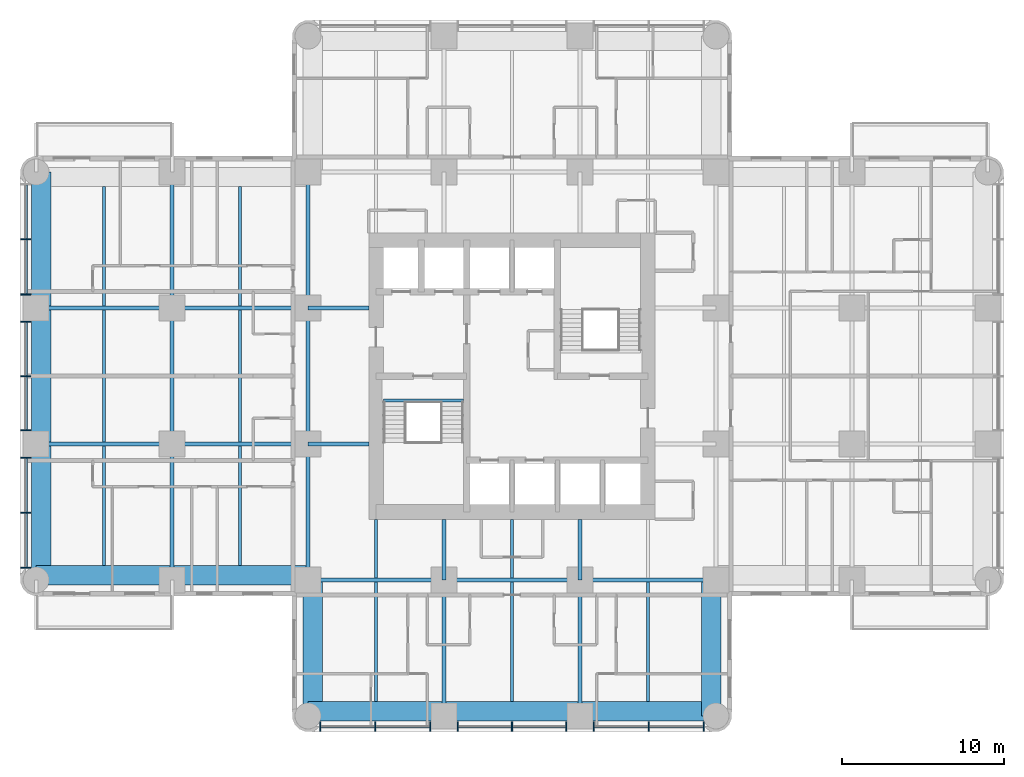
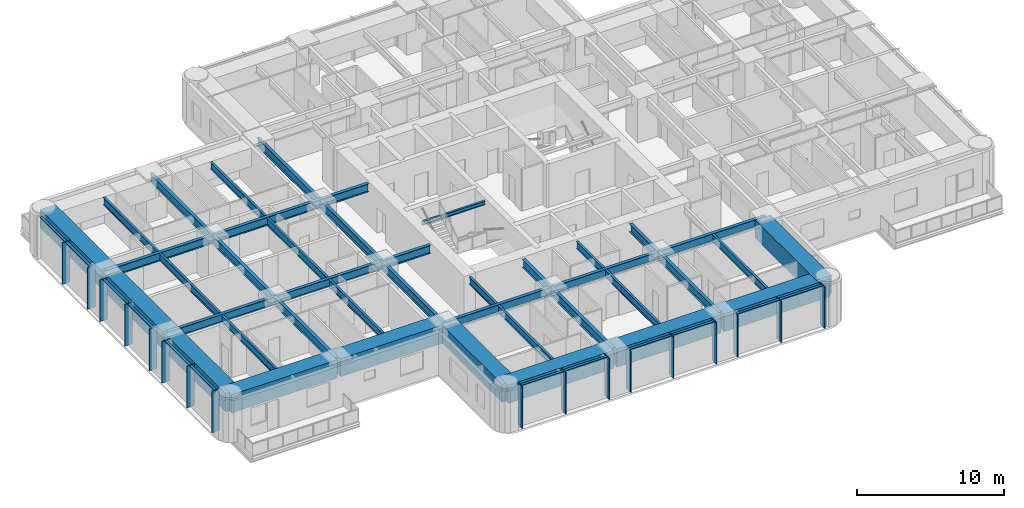
# One storey, part 2 of 14: 41 beams, 29 members, 2 elements without a shape of their own.
"""IFC4 building model written with IfcOpenShell, lengths in metres."""

from ifc_helpers import new_model, si_unit, direction, frame, origin, origin_2d, place, context, subcontext, project, spatial, rectangle, i_section, extrude, material, material_profile, profile_set, type_object, element, aggregate, save


model = new_model("IFC4")

# Units and contexts
model_context = context("Model", 3, precision=1e-05, world=origin(), true_north=direction((0.0, 1.0)))
body_context = subcontext(model_context, "Body", "Model", "MODEL_VIEW")
ifc_project = project(units=[si_unit("LENGTHUNIT", "METRE"), si_unit("AREAUNIT", "SQUARE_METRE"), si_unit("VOLUMEUNIT", "CUBIC_METRE"), si_unit("PLANEANGLEUNIT", "RADIAN"), si_unit("MASSUNIT", "GRAM", prefix="KILO")], contexts=[model_context])

# Site, building, storey
site_placement = place(None, origin())
site = spatial("IfcSite", under=ifc_project, at=site_placement, CompositionType="ELEMENT")
building_placement = place(site_placement, origin())
building = spatial("IfcBuilding", under=site, at=building_placement, Name="Torre Alcanfor", CompositionType="ELEMENT")
storey_placement = place(building_placement, frame((0.0, 0.0, 141.300048828125)))
storey = spatial("IfcBuildingStorey", under=building, at=storey_placement, Name="L36", CompositionType="ELEMENT", Elevation=141.300048828125)

# Curtain wall, members
ifc_material_1 = material(Name="Aluminium and glass", Category="aluminium")
curtain_wall_type = type_object("IfcCurtainWallType", Name="CW-A unitised apartment glazing with vertical FIN", PredefinedType="NOTDEFINED", material=ifc_material_1)
curtain_wall_1_placement = place(storey_placement, origin())
curtain_wall_1 = element("IfcCurtainWall", 1, at=curtain_wall_1_placement, inside=storey, type_object=curtain_wall_type, Name="Curtain wall CW-A L36 2", PredefinedType="NOTDEFINED")
ifc_material_2 = material(Name="Bronze anodised aluminium", Category="aluminium")
ifc_material_profile_1 = material_profile(ifc_material_2, rectangle(XDim=0.60009765625, YDim=0.06494140625, at=origin_2d()), Name="CW-A mullion 65x600")
ifc_profile_set_1 = profile_set([ifc_material_profile_1], Name="Bronze anodised aluminium")
member_type_1 = type_object("IfcMemberType", Name="CW-A mullion with vertical FIN 65x600", PredefinedType="MULLION", material=ifc_profile_set_1)
member_1_placement = place(storey_placement, frame((-0.64990234375, 37.840087890625, 0.0), z_axis=(0.0, 0.0, 1.0), x_axis=(1.0, 0.0, 0.0)))
member_1 = element("IfcMember", 2, at=member_1_placement, type_object=member_type_1, Name="CW-A mullion 1.2", PredefinedType="MULLION", context=body_context, shape_type="SweptSolid", body=[
    extrude(rectangle(XDim=0.60009765625, YDim=0.06494140625, at=origin_2d()), origin(), (0.0, 0.0, 1.0), 3.449951171875),
])
member_2_placement = place(storey_placement, frame((-0.64990234375, 34.4375, 0.0), z_axis=(0.0, 0.0, 1.0), x_axis=(1.0, 0.0, 0.0)))
member_2 = element("IfcMember", 3, at=member_2_placement, type_object=member_type_1, Name="CW-A mullion 1.3", PredefinedType="MULLION", context=body_context, shape_type="SweptSolid", body=[
    extrude(rectangle(XDim=0.60009765625, YDim=0.06494140625, at=origin_2d()), origin(), (0.0, 0.0, 1.0), 3.449951171875),
])
member_3_placement = place(storey_placement, frame((-0.64990234375, 32.762451171875, 0.0), z_axis=(0.0, 0.0, 1.0), x_axis=(1.0, 0.0, 0.0)))
member_3 = element("IfcMember", 4, at=member_3_placement, type_object=member_type_1, Name="CW-A mullion 2.1", PredefinedType="MULLION", context=body_context, shape_type="SweptSolid", body=[
    extrude(rectangle(XDim=0.60009765625, YDim=0.06494140625, at=origin_2d()), origin(), (0.0, 0.0, 1.0), 3.449951171875),
])
member_4_placement = place(storey_placement, frame((-0.64990234375, 29.39990234375, 0.0), z_axis=(0.0, 0.0, 1.0), x_axis=(1.0, 0.0, 0.0)))
member_4 = element("IfcMember", 5, at=member_4_placement, type_object=member_type_1, Name="CW-A mullion 2.2", PredefinedType="MULLION", context=body_context, shape_type="SweptSolid", body=[
    extrude(rectangle(XDim=0.60009765625, YDim=0.06494140625, at=origin_2d()), origin(), (0.0, 0.0, 1.0), 3.449951171875),
])
member_5_placement = place(storey_placement, frame((-0.64990234375, 26.03759765625, 0.0), z_axis=(0.0, 0.0, 1.0), x_axis=(1.0, 0.0, 0.0)))
member_5 = element("IfcMember", 6, at=member_5_placement, type_object=member_type_1, Name="CW-A mullion 2.3", PredefinedType="MULLION", context=body_context, shape_type="SweptSolid", body=[
    extrude(rectangle(XDim=0.60009765625, YDim=0.06494140625, at=origin_2d()), origin(), (0.0, 0.0, 1.0), 3.449951171875),
])
member_6_placement = place(storey_placement, frame((-0.64990234375, 24.362548828125, 0.0), z_axis=(0.0, 0.0, 1.0), x_axis=(1.0, 0.0, 0.0)))
member_6 = element("IfcMember", 7, at=member_6_placement, type_object=member_type_1, Name="CW-A mullion 3.1", PredefinedType="MULLION", context=body_context, shape_type="SweptSolid", body=[
    extrude(rectangle(XDim=0.60009765625, YDim=0.06494140625, at=origin_2d()), origin(), (0.0, 0.0, 1.0), 3.449951171875),
])
member_7_placement = place(storey_placement, frame((-0.64990234375, 20.9599609375, 0.0), z_axis=(0.0, 0.0, 1.0), x_axis=(1.0, 0.0, 0.0)))
member_7 = element("IfcMember", 8, at=member_7_placement, type_object=member_type_1, Name="CW-A mullion 3.2", PredefinedType="MULLION", context=body_context, shape_type="SweptSolid", body=[
    extrude(rectangle(XDim=0.60009765625, YDim=0.06494140625, at=origin_2d()), origin(), (0.0, 0.0, 1.0), 3.449951171875),
])
member_8_placement = place(storey_placement, frame((-0.64990234375, 17.557373046875, 0.0), z_axis=(0.0, 0.0, 1.0), x_axis=(1.0, 0.0, 0.0)))
member_8 = element("IfcMember", 9, at=member_8_placement, type_object=member_type_1, Name="CW-A mullion 3.3", PredefinedType="MULLION", context=body_context, shape_type="SweptSolid", body=[
    extrude(rectangle(XDim=0.60009765625, YDim=0.06494140625, at=origin_2d()), origin(), (0.0, 0.0, 1.0), 3.449951171875),
])

curtain_wall_2_placement = place(storey_placement, origin())
curtain_wall_2 = element("IfcCurtainWall", 10, at=curtain_wall_2_placement, inside=storey, type_object=curtain_wall_type, Name="Curtain wall CW-A L36 5", PredefinedType="NOTDEFINED")
member_9_placement = place(storey_placement, frame((17.557373046875, 7.75, 0.0), z_axis=(0.0, 0.0, 1.0), x_axis=(0.0, 1.0, 0.0)))
member_9 = element("IfcMember", 11, at=member_9_placement, type_object=member_type_1, Name="CW-A mullion 1.1", PredefinedType="MULLION", context=body_context, shape_type="SweptSolid", body=[
    extrude(rectangle(XDim=0.60009765625, YDim=0.06494140625, at=origin_2d()), origin(), (0.0, 0.0, 1.0), 3.449951171875),
])
member_10_placement = place(storey_placement, frame((20.9599609375, 7.75, 0.0), z_axis=(0.0, 0.0, 1.0), x_axis=(0.0, 1.0, 0.0)))
member_10 = element("IfcMember", 12, at=member_10_placement, type_object=member_type_1, Name="CW-A mullion 1.2", PredefinedType="MULLION", context=body_context, shape_type="SweptSolid", body=[
    extrude(rectangle(XDim=0.60009765625, YDim=0.06494140625, at=origin_2d()), origin(), (0.0, 0.0, 1.0), 3.449951171875),
])
member_11_placement = place(storey_placement, frame((24.362548828125, 7.75, 0.0), z_axis=(0.0, 0.0, 1.0), x_axis=(0.0, 1.0, 0.0)))
member_11 = element("IfcMember", 13, at=member_11_placement, type_object=member_type_1, Name="CW-A mullion 1.3", PredefinedType="MULLION", context=body_context, shape_type="SweptSolid", body=[
    extrude(rectangle(XDim=0.60009765625, YDim=0.06494140625, at=origin_2d()), origin(), (0.0, 0.0, 1.0), 3.449951171875),
])
member_12_placement = place(storey_placement, frame((26.03759765625, 7.75, 0.0), z_axis=(0.0, 0.0, 1.0), x_axis=(0.0, 1.0, 0.0)))
member_12 = element("IfcMember", 14, at=member_12_placement, type_object=member_type_1, Name="CW-A mullion 2.1", PredefinedType="MULLION", context=body_context, shape_type="SweptSolid", body=[
    extrude(rectangle(XDim=0.60009765625, YDim=0.06494140625, at=origin_2d()), origin(), (0.0, 0.0, 1.0), 3.449951171875),
])
member_13_placement = place(storey_placement, frame((29.39990234375, 7.75, 0.0), z_axis=(0.0, 0.0, 1.0), x_axis=(0.0, 1.0, 0.0)))
member_13 = element("IfcMember", 15, at=member_13_placement, type_object=member_type_1, Name="CW-A mullion 2.2", PredefinedType="MULLION", context=body_context, shape_type="SweptSolid", body=[
    extrude(rectangle(XDim=0.60009765625, YDim=0.06494140625, at=origin_2d()), origin(), (0.0, 0.0, 1.0), 3.449951171875),
])
member_14_placement = place(storey_placement, frame((32.762451171875, 7.75, 0.0), z_axis=(0.0, 0.0, 1.0), x_axis=(0.0, 1.0, 0.0)))
member_14 = element("IfcMember", 16, at=member_14_placement, type_object=member_type_1, Name="CW-A mullion 2.3", PredefinedType="MULLION", context=body_context, shape_type="SweptSolid", body=[
    extrude(rectangle(XDim=0.60009765625, YDim=0.06494140625, at=origin_2d()), origin(), (0.0, 0.0, 1.0), 3.449951171875),
])
member_15_placement = place(storey_placement, frame((34.4375, 7.75, 0.0), z_axis=(0.0, 0.0, 1.0), x_axis=(0.0, 1.0, 0.0)))
member_15 = element("IfcMember", 17, at=member_15_placement, type_object=member_type_1, Name="CW-A mullion 3.1", PredefinedType="MULLION", context=body_context, shape_type="SweptSolid", body=[
    extrude(rectangle(XDim=0.60009765625, YDim=0.06494140625, at=origin_2d()), origin(), (0.0, 0.0, 1.0), 3.449951171875),
])
member_16_placement = place(storey_placement, frame((37.840087890625, 7.75, 0.0), z_axis=(0.0, 0.0, 1.0), x_axis=(0.0, 1.0, 0.0)))
member_16 = element("IfcMember", 18, at=member_16_placement, type_object=member_type_1, Name="CW-A mullion 3.2", PredefinedType="MULLION", context=body_context, shape_type="SweptSolid", body=[
    extrude(rectangle(XDim=0.60009765625, YDim=0.06494140625, at=origin_2d()), origin(), (0.0, 0.0, 1.0), 3.449951171875),
])
member_17_placement = place(storey_placement, frame((41.24267578125, 7.75, 0.0), z_axis=(0.0, 0.0, 1.0), x_axis=(0.0, 1.0, 0.0)))
member_17 = element("IfcMember", 19, at=member_17_placement, type_object=member_type_1, Name="CW-A mullion 3.3", PredefinedType="MULLION", context=body_context, shape_type="SweptSolid", body=[
    extrude(rectangle(XDim=0.60009765625, YDim=0.06494140625, at=origin_2d()), origin(), (0.0, 0.0, 1.0), 3.449951171875),
])

# Member
ifc_material_3 = material(Name="Extruded aluminium", Category="aluminium")
ifc_material_profile_2 = material_profile(ifc_material_3, rectangle(XDim=0.199951171875, YDim=0.06494140625, at=origin_2d()), Name="CW-A transom 200x65")
ifc_profile_set_2 = profile_set([ifc_material_profile_2], Name="Extruded aluminium")
member_type_2 = type_object("IfcMemberType", Name="CW-A transom 65x200", PredefinedType="USERDEFINED", material=ifc_profile_set_2)
member_18_placement = place(storey_placement, frame((-0.64990234375, 41.210205078125, 3.41748046875), z_axis=(0.0, -1.0, 0.0), x_axis=(1.0, 0.0, 0.0)))
member_18 = element("IfcMember", 20, at=member_18_placement, type_object=member_type_2, Name="CW-A transom 1.1.2", ObjectType="TRANSOM", PredefinedType="USERDEFINED", context=body_context, shape_type="SweptSolid", body=[
    extrude(rectangle(XDim=0.199951171875, YDim=0.06494140625, at=origin_2d()), origin(), (0.0, 0.0, 1.0), 3.337646484375),
])

member_19_placement = place(storey_placement, frame((-0.64990234375, 37.8076171875, 3.41748046875), z_axis=(0.0, -1.0, 0.0), x_axis=(1.0, 0.0, 0.0)))
member_19 = element("IfcMember", 21, at=member_19_placement, type_object=member_type_2, Name="CW-A transom 1.2.2", ObjectType="TRANSOM", PredefinedType="USERDEFINED", context=body_context, shape_type="SweptSolid", body=[
    extrude(rectangle(XDim=0.199951171875, YDim=0.06494140625, at=origin_2d()), origin(), (0.0, 0.0, 1.0), 3.337646484375),
])

member_20_placement = place(storey_placement, frame((-0.64990234375, 32.72998046875, 3.41748046875), z_axis=(0.0, -1.0, 0.0), x_axis=(1.0, 0.0, 0.0)))
member_20 = element("IfcMember", 22, at=member_20_placement, type_object=member_type_2, Name="CW-A transom 2.1.2", ObjectType="TRANSOM", PredefinedType="USERDEFINED", context=body_context, shape_type="SweptSolid", body=[
    extrude(rectangle(XDim=0.199951171875, YDim=0.06494140625, at=origin_2d()), origin(), (0.0, 0.0, 1.0), 3.29736328125),
])

member_21_placement = place(storey_placement, frame((-0.64990234375, 29.367431640625, 3.41748046875), z_axis=(0.0, -1.0, 0.0), x_axis=(1.0, 0.0, 0.0)))
member_21 = element("IfcMember", 23, at=member_21_placement, type_object=member_type_2, Name="CW-A transom 2.2.2", ObjectType="TRANSOM", PredefinedType="USERDEFINED", context=body_context, shape_type="SweptSolid", body=[
    extrude(rectangle(XDim=0.199951171875, YDim=0.06494140625, at=origin_2d()), origin(), (0.0, 0.0, 1.0), 3.29736328125),
])

member_22_placement = place(storey_placement, frame((-0.64990234375, 24.330078125, 3.41748046875), z_axis=(0.0, -1.0, 0.0), x_axis=(1.0, 0.0, 0.0)))
member_22 = element("IfcMember", 24, at=member_22_placement, type_object=member_type_2, Name="CW-A transom 3.1.2", ObjectType="TRANSOM", PredefinedType="USERDEFINED", context=body_context, shape_type="SweptSolid", body=[
    extrude(rectangle(XDim=0.199951171875, YDim=0.06494140625, at=origin_2d()), origin(), (0.0, 0.0, 1.0), 3.337646484375),
])

member_23_placement = place(storey_placement, frame((-0.64990234375, 20.927490234375, 3.41748046875), z_axis=(0.0, -1.0, 0.0), x_axis=(1.0, 0.0, 0.0)))
member_23 = element("IfcMember", 25, at=member_23_placement, type_object=member_type_2, Name="CW-A transom 3.2.2", ObjectType="TRANSOM", PredefinedType="USERDEFINED", context=body_context, shape_type="SweptSolid", body=[
    extrude(rectangle(XDim=0.199951171875, YDim=0.06494140625, at=origin_2d()), origin(), (0.0, 0.0, 1.0), 3.337646484375),
])

aggregate(curtain_wall_1, [member_1, member_2, member_18, member_19, member_3, member_4, member_5, member_20, member_21, member_6, member_7, member_8, member_22, member_23])

member_24_placement = place(storey_placement, frame((17.58984375, 7.75, 3.41748046875), z_axis=(1.0, 0.0, 0.0), x_axis=(0.0, 1.0, 0.0)))
member_24 = element("IfcMember", 26, at=member_24_placement, type_object=member_type_2, Name="CW-A transom 1.1.2", ObjectType="TRANSOM", PredefinedType="USERDEFINED", context=body_context, shape_type="SweptSolid", body=[
    extrude(rectangle(XDim=0.199951171875, YDim=0.06494140625, at=origin_2d()), origin(), (0.0, 0.0, 1.0), 3.337646484375),
])

member_25_placement = place(storey_placement, frame((20.992431640625, 7.75, 3.41748046875), z_axis=(1.0, 0.0, 0.0), x_axis=(0.0, 1.0, 0.0)))
member_25 = element("IfcMember", 27, at=member_25_placement, type_object=member_type_2, Name="CW-A transom 1.2.2", ObjectType="TRANSOM", PredefinedType="USERDEFINED", context=body_context, shape_type="SweptSolid", body=[
    extrude(rectangle(XDim=0.199951171875, YDim=0.06494140625, at=origin_2d()), origin(), (0.0, 0.0, 1.0), 3.337646484375),
])

member_26_placement = place(storey_placement, frame((26.070068359375, 7.75, 3.41748046875), z_axis=(1.0, 0.0, 0.0), x_axis=(0.0, 1.0, 0.0)))
member_26 = element("IfcMember", 28, at=member_26_placement, type_object=member_type_2, Name="CW-A transom 2.1.2", ObjectType="TRANSOM", PredefinedType="USERDEFINED", context=body_context, shape_type="SweptSolid", body=[
    extrude(rectangle(XDim=0.199951171875, YDim=0.06494140625, at=origin_2d()), origin(), (0.0, 0.0, 1.0), 3.29736328125),
])

member_27_placement = place(storey_placement, frame((29.4326171875, 7.75, 3.41748046875), z_axis=(1.0, 0.0, 0.0), x_axis=(0.0, 1.0, 0.0)))
member_27 = element("IfcMember", 29, at=member_27_placement, type_object=member_type_2, Name="CW-A transom 2.2.2", ObjectType="TRANSOM", PredefinedType="USERDEFINED", context=body_context, shape_type="SweptSolid", body=[
    extrude(rectangle(XDim=0.199951171875, YDim=0.06494140625, at=origin_2d()), origin(), (0.0, 0.0, 1.0), 3.29736328125),
])

member_28_placement = place(storey_placement, frame((34.469970703125, 7.75, 3.41748046875), z_axis=(1.0, 0.0, 0.0), x_axis=(0.0, 1.0, 0.0)))
member_28 = element("IfcMember", 30, at=member_28_placement, type_object=member_type_2, Name="CW-A transom 3.1.2", ObjectType="TRANSOM", PredefinedType="USERDEFINED", context=body_context, shape_type="SweptSolid", body=[
    extrude(rectangle(XDim=0.199951171875, YDim=0.06494140625, at=origin_2d()), origin(), (0.0, 0.0, 1.0), 3.337646484375),
])

member_29_placement = place(storey_placement, frame((37.87255859375, 7.75, 3.41748046875), z_axis=(1.0, 0.0, 0.0), x_axis=(0.0, 1.0, 0.0)))
member_29 = element("IfcMember", 31, at=member_29_placement, type_object=member_type_2, Name="CW-A transom 3.2.2", ObjectType="TRANSOM", PredefinedType="USERDEFINED", context=body_context, shape_type="SweptSolid", body=[
    extrude(rectangle(XDim=0.199951171875, YDim=0.06494140625, at=origin_2d()), origin(), (0.0, 0.0, 1.0), 3.337646484375),
])

aggregate(curtain_wall_2, [member_9, member_10, member_11, member_24, member_25, member_12, member_13, member_14, member_26, member_27, member_15, member_16, member_17, member_28, member_29])

# Beams
ifc_material_4 = material(Name="Steel ASTM A992 Grade 50", Category="steel")
ifc_material_profile_3 = material_profile(ifc_material_4, i_section(OverallWidth=0.25390625, OverallDepth=0.683349609375, WebThickness=0.012451171875, FlangeThickness=0.01904296875, at=origin_2d()), Name="W27x94")
ifc_profile_set_3 = profile_set([ifc_material_profile_3], Name="Steel ASTM A992 Grade 50")
beam_type_1 = type_object("IfcBeamType", Name="Girder W27x94", PredefinedType="BEAM", material=ifc_profile_set_3)
beam_1_placement = place(storey_placement, frame((16.800048828125, 16.800048828125, 3.1083984375), z_axis=(1.0, 0.0, 0.0), x_axis=(0.0, 1.0, 0.0)))
element("IfcBeam", 32, at=beam_1_placement, inside=storey, type_object=beam_type_1, Name="Beam 3E-4E under L37", PredefinedType="BEAM", context=body_context, shape_type="SweptSolid", body=[
    extrude(i_section(OverallWidth=0.25390625, OverallDepth=0.683349609375, WebThickness=0.012451171875, FlangeThickness=0.01904296875, at=origin_2d()), origin(), (0.0, 0.0, 1.0), 8.39990234375),
])
beam_2_placement = place(storey_placement, frame((25.199951171875, 16.800048828125, 3.1083984375), z_axis=(1.0, 0.0, 0.0), x_axis=(0.0, 1.0, 0.0)))
element("IfcBeam", 33, at=beam_2_placement, inside=storey, type_object=beam_type_1, Name="Beam 4E-5E under L37", PredefinedType="BEAM", context=body_context, shape_type="SweptSolid", body=[
    extrude(i_section(OverallWidth=0.25390625, OverallDepth=0.683349609375, WebThickness=0.012451171875, FlangeThickness=0.01904296875, at=origin_2d()), origin(), (0.0, 0.0, 1.0), 8.400146484375),
])
for number, where, z_axis, x_axis, name in (
    (34, (33.60009765625, 16.800048828125, 3.1083984375), (1.0, 0.0, 0.0), (0.0, 1.0, 0.0), "Beam 5E-6E under L37"),
    (35, (0.0, 25.199951171875, 3.1083984375), (1.0, 0.0, 0.0), (0.0, 1.0, 0.0), "Beam 1F-2F under L37"),
):
    element("IfcBeam", number, at=place(storey_placement, frame(where, z_axis=z_axis, x_axis=x_axis)), inside=storey, type_object=beam_type_1, Name=name, PredefinedType="BEAM", context=body_context, shape_type="SweptSolid", body=[
        extrude(i_section(OverallWidth=0.25390625, OverallDepth=0.683349609375, WebThickness=0.012451171875, FlangeThickness=0.01904296875, at=origin_2d()), origin(), (0.0, 0.0, 1.0), 8.39990234375),
    ])
beam_3_placement = place(storey_placement, frame((8.39990234375, 25.199951171875, 3.1083984375), z_axis=(1.0, 0.0, 0.0), x_axis=(0.0, 1.0, 0.0)))
element("IfcBeam", 36, at=beam_3_placement, inside=storey, type_object=beam_type_1, Name="Beam 2F-3F under L37", PredefinedType="BEAM", context=body_context, shape_type="SweptSolid", body=[
    extrude(i_section(OverallWidth=0.25390625, OverallDepth=0.683349609375, WebThickness=0.012451171875, FlangeThickness=0.01904296875, at=origin_2d()), origin(), (0.0, 0.0, 1.0), 8.400146484375),
])
beam_4_placement = place(storey_placement, frame((0.0, 33.60009765625, 3.1083984375), z_axis=(1.0, 0.0, 0.0), x_axis=(0.0, 1.0, 0.0)))
element("IfcBeam", 37, at=beam_4_placement, inside=storey, type_object=beam_type_1, Name="Beam 1G-2G under L37", PredefinedType="BEAM", context=body_context, shape_type="SweptSolid", body=[
    extrude(i_section(OverallWidth=0.25390625, OverallDepth=0.683349609375, WebThickness=0.012451171875, FlangeThickness=0.01904296875, at=origin_2d()), origin(), (0.0, 0.0, 1.0), 8.39990234375),
])
beam_5_placement = place(storey_placement, frame((8.39990234375, 33.60009765625, 3.1083984375), z_axis=(1.0, 0.0, 0.0), x_axis=(0.0, 1.0, 0.0)))
element("IfcBeam", 38, at=beam_5_placement, inside=storey, type_object=beam_type_1, Name="Beam 2G-3G under L37", PredefinedType="BEAM", context=body_context, shape_type="SweptSolid", body=[
    extrude(i_section(OverallWidth=0.25390625, OverallDepth=0.683349609375, WebThickness=0.012451171875, FlangeThickness=0.01904296875, at=origin_2d()), origin(), (0.0, 0.0, 1.0), 8.400146484375),
])
beam_6_placement = place(storey_placement, frame((8.39990234375, 16.800048828125, 3.1083984375), z_axis=(0.0, 1.0, 0.0), x_axis=(-1.0, 0.0, 0.0)))
element("IfcBeam", 39, at=beam_6_placement, inside=storey, type_object=beam_type_1, Name="Beam 2E-2F under L37", PredefinedType="BEAM", context=body_context, shape_type="SweptSolid", body=[
    extrude(i_section(OverallWidth=0.25390625, OverallDepth=0.683349609375, WebThickness=0.012451171875, FlangeThickness=0.01904296875, at=origin_2d()), origin(), (0.0, 0.0, 1.0), 8.39990234375),
])
beam_7_placement = place(storey_placement, frame((8.39990234375, 25.199951171875, 3.1083984375), z_axis=(0.0, 1.0, 0.0), x_axis=(-1.0, 0.0, 0.0)))
element("IfcBeam", 40, at=beam_7_placement, inside=storey, type_object=beam_type_1, Name="Beam 2F-2G under L37", PredefinedType="BEAM", context=body_context, shape_type="SweptSolid", body=[
    extrude(i_section(OverallWidth=0.25390625, OverallDepth=0.683349609375, WebThickness=0.012451171875, FlangeThickness=0.01904296875, at=origin_2d()), origin(), (0.0, 0.0, 1.0), 8.400146484375),
])
for number, where, z_axis, x_axis, name in (
    (41, (8.39990234375, 33.60009765625, 3.1083984375), (0.0, 1.0, 0.0), (-1.0, 0.0, 0.0), "Beam 2G-2H under L37"),
    (42, (16.800048828125, 16.800048828125, 3.1083984375), (0.0, 1.0, 0.0), (-1.0, 0.0, 0.0), "Beam 3E-3F under L37"),
):
    element("IfcBeam", number, at=place(storey_placement, frame(where, z_axis=z_axis, x_axis=x_axis)), inside=storey, type_object=beam_type_1, Name=name, PredefinedType="BEAM", context=body_context, shape_type="SweptSolid", body=[
        extrude(i_section(OverallWidth=0.25390625, OverallDepth=0.683349609375, WebThickness=0.012451171875, FlangeThickness=0.01904296875, at=origin_2d()), origin(), (0.0, 0.0, 1.0), 8.39990234375),
    ])
beam_8_placement = place(storey_placement, frame((16.800048828125, 25.199951171875, 3.1083984375), z_axis=(0.0, 1.0, 0.0), x_axis=(-1.0, 0.0, 0.0)))
element("IfcBeam", 43, at=beam_8_placement, inside=storey, type_object=beam_type_1, Name="Beam 3F-3G under L37", PredefinedType="BEAM", context=body_context, shape_type="SweptSolid", body=[
    extrude(i_section(OverallWidth=0.25390625, OverallDepth=0.683349609375, WebThickness=0.012451171875, FlangeThickness=0.01904296875, at=origin_2d()), origin(), (0.0, 0.0, 1.0), 8.400146484375),
])
beam_9_placement = place(storey_placement, frame((16.800048828125, 33.60009765625, 3.1083984375), z_axis=(0.0, 1.0, 0.0), x_axis=(-1.0, 0.0, 0.0)))
element("IfcBeam", 44, at=beam_9_placement, inside=storey, type_object=beam_type_1, Name="Beam 3G-3H under L37", PredefinedType="BEAM", context=body_context, shape_type="SweptSolid", body=[
    extrude(i_section(OverallWidth=0.25390625, OverallDepth=0.683349609375, WebThickness=0.012451171875, FlangeThickness=0.01904296875, at=origin_2d()), origin(), (0.0, 0.0, 1.0), 8.39990234375),
])
for number, where, z_axis, x_axis, name in (
    (45, (25.199951171875, 8.39990234375, 3.1083984375), (0.0, 1.0, 0.0), (-1.0, 0.0, 0.0), "Beam 4D-4E under L37"),
    (46, (33.60009765625, 8.39990234375, 3.1083984375), (0.0, 1.0, 0.0), (-1.0, 0.0, 0.0), "Beam 5D-5E under L37"),
):
    element("IfcBeam", number, at=place(storey_placement, frame(where, z_axis=z_axis, x_axis=x_axis)), inside=storey, type_object=beam_type_1, Name=name, PredefinedType="BEAM", context=body_context, shape_type="SweptSolid", body=[
        extrude(i_section(OverallWidth=0.25390625, OverallDepth=0.683349609375, WebThickness=0.012451171875, FlangeThickness=0.01904296875, at=origin_2d()), origin(), (0.0, 0.0, 1.0), 8.400146484375),
    ])
ifc_material_5 = material(Name="Steel ASTM A992 Grade 50", Category="steel")
ifc_material_profile_4 = material_profile(ifc_material_5, i_section(OverallWidth=0.25390625, OverallDepth=0.683349609375, WebThickness=0.012451171875, FlangeThickness=0.01904296875, at=origin_2d()), Name="W27x94")
ifc_profile_set_4 = profile_set([ifc_material_profile_4], Name="Steel ASTM A992 Grade 50")
beam_type_2 = type_object("IfcBeamType", Name="Girder, part bay W27x94", PredefinedType="BEAM", material=ifc_profile_set_4)
for number, where, z_axis, x_axis, name in (
    (47, (25.199951171875, 16.800048828125, 3.1083984375), (0.0, 1.0, 0.0), (-1.0, 0.0, 0.0), "Beam 4E-420_55 under L37"),
    (48, (33.60009765625, 16.800048828125, 3.1083984375), (0.0, 1.0, 0.0), (-1.0, 0.0, 0.0), "Beam 5E-520_55 under L37"),
    (49, (16.800048828125, 25.199951171875, 3.1083984375), (1.0, 0.0, 0.0), (0.0, 1.0, 0.0), "Beam 3F-20_55F under L37"),
    (50, (16.800048828125, 33.60009765625, 3.1083984375), (1.0, 0.0, 0.0), (0.0, 1.0, 0.0), "Beam 3G-20_55G under L37"),
):
    element("IfcBeam", number, at=place(storey_placement, frame(where, z_axis=z_axis, x_axis=x_axis)), inside=storey, type_object=beam_type_2, Name=name, PredefinedType="BEAM", context=body_context, shape_type="SweptSolid", body=[
        extrude(i_section(OverallWidth=0.25390625, OverallDepth=0.683349609375, WebThickness=0.012451171875, FlangeThickness=0.01904296875, at=origin_2d()), origin(), (0.0, 0.0, 1.0), 3.75),
    ])
ifc_material_6 = material(Name="Concrete f'c 70 MPa", Category="concrete")
ifc_material_profile_5 = material_profile(ifc_material_6, rectangle(XDim=1.199951171875, YDim=1.5, at=origin_2d()), Name="1200x1500")
ifc_profile_set_5 = profile_set([ifc_material_profile_5], Name="Concrete f'c 70 MPa")
beam_type_3 = type_object("IfcBeamType", Name="RC perimeter beam 1200x1500", PredefinedType="BEAM", material=ifc_profile_set_5)
beam_10_placement = place(storey_placement, frame((16.800048828125, 8.699951171875, 2.699951171875), z_axis=(1.0, 0.0, 0.0), x_axis=(0.0, 1.0, 0.0)))
element("IfcBeam", 51, at=beam_10_placement, inside=storey, type_object=beam_type_3, Name="Beam 3D-4D under L37", PredefinedType="BEAM", context=body_context, shape_type="SweptSolid", body=[
    extrude(rectangle(XDim=1.199951171875, YDim=1.5, at=origin_2d()), origin(), (0.0, 0.0, 1.0), 8.27294921875),
])
beam_11_placement = place(storey_placement, frame((25.326904296875, 8.699951171875, 2.699951171875), z_axis=(1.0, 0.0, 0.0), x_axis=(0.0, 1.0, 0.0)))
element("IfcBeam", 52, at=beam_11_placement, inside=storey, type_object=beam_type_3, Name="Beam 4D-5D under L37", PredefinedType="BEAM", context=body_context, shape_type="SweptSolid", body=[
    extrude(rectangle(XDim=1.199951171875, YDim=1.5, at=origin_2d()), origin(), (0.0, 0.0, 1.0), 8.14599609375),
])
for number, where, z_axis, x_axis, name in (
    (53, (33.72705078125, 8.699951171875, 2.699951171875), (1.0, 0.0, 0.0), (0.0, 1.0, 0.0), "Beam 5D-6D under L37"),
    (54, (0.0, 17.10009765625, 2.699951171875), (1.0, 0.0, 0.0), (0.0, 1.0, 0.0), "Beam 1E-2E under L37"),
):
    element("IfcBeam", number, at=place(storey_placement, frame(where, z_axis=z_axis, x_axis=x_axis)), inside=storey, type_object=beam_type_3, Name=name, PredefinedType="BEAM", context=body_context, shape_type="SweptSolid", body=[
        extrude(rectangle(XDim=1.199951171875, YDim=1.5, at=origin_2d()), origin(), (0.0, 0.0, 1.0), 8.27294921875),
    ])
beam_12_placement = place(storey_placement, frame((8.527099609375, 17.10009765625, 2.699951171875), z_axis=(1.0, 0.0, 0.0), x_axis=(0.0, 1.0, 0.0)))
element("IfcBeam", 55, at=beam_12_placement, inside=storey, type_object=beam_type_3, Name="Beam 2E-3E under L37", PredefinedType="BEAM", context=body_context, shape_type="SweptSolid", body=[
    extrude(rectangle(XDim=1.199951171875, YDim=1.5, at=origin_2d()), origin(), (0.0, 0.0, 1.0), 8.39990234375),
])
beam_13_placement = place(storey_placement, frame((0.300048828125, 16.800048828125, 2.699951171875), z_axis=(0.0, 1.0, 0.0), x_axis=(-1.0, 0.0, 0.0)))
element("IfcBeam", 56, at=beam_13_placement, inside=storey, type_object=beam_type_3, Name="Beam 1E-1F under L37", PredefinedType="BEAM", context=body_context, shape_type="SweptSolid", body=[
    extrude(rectangle(XDim=1.199951171875, YDim=1.5, at=origin_2d()), origin(), (0.0, 0.0, 1.0), 8.27294921875),
])
beam_14_placement = place(storey_placement, frame((0.300048828125, 25.326904296875, 2.699951171875), z_axis=(0.0, 1.0, 0.0), x_axis=(-1.0, 0.0, 0.0)))
element("IfcBeam", 57, at=beam_14_placement, inside=storey, type_object=beam_type_3, Name="Beam 1F-1G under L37", PredefinedType="BEAM", context=body_context, shape_type="SweptSolid", body=[
    extrude(rectangle(XDim=1.199951171875, YDim=1.5, at=origin_2d()), origin(), (0.0, 0.0, 1.0), 8.14599609375),
])
beam_15_placement = place(storey_placement, frame((0.300048828125, 33.72705078125, 2.699951171875), z_axis=(0.0, 1.0, 0.0), x_axis=(-1.0, 0.0, 0.0)))
element("IfcBeam", 58, at=beam_15_placement, inside=storey, type_object=beam_type_3, Name="Beam 1G-1H under L37", PredefinedType="BEAM", context=body_context, shape_type="SweptSolid", body=[
    extrude(rectangle(XDim=1.199951171875, YDim=1.5, at=origin_2d()), origin(), (0.0, 0.0, 1.0), 8.27294921875),
])
for number, where, z_axis, x_axis, name in (
    (59, (17.10009765625, 8.39990234375, 2.699951171875), (0.0, 1.0, 0.0), (-1.0, 0.0, 0.0), "Beam 3D-3E under L37"),
    (60, (41.699951171875, 8.39990234375, 2.699951171875), (0.0, 1.0, 0.0), (-1.0, 0.0, 0.0), "Beam 6D-6E under L37"),
):
    element("IfcBeam", number, at=place(storey_placement, frame(where, z_axis=z_axis, x_axis=x_axis)), inside=storey, type_object=beam_type_3, Name=name, PredefinedType="BEAM", context=body_context, shape_type="SweptSolid", body=[
        extrude(rectangle(XDim=1.199951171875, YDim=1.5, at=origin_2d()), origin(), (0.0, 0.0, 1.0), 8.273193359375),
    ])
ifc_material_7 = material(Name="Steel ASTM A992 Grade 50", Category="steel")
ifc_material_profile_6 = material_profile(ifc_material_7, i_section(OverallWidth=0.1787109375, OverallDepth=0.60205078125, WebThickness=0.010986328125, FlangeThickness=0.014892578125, at=origin_2d()), Name="W24x62")
ifc_profile_set_6 = profile_set([ifc_material_profile_6], Name="Steel ASTM A992 Grade 50")
beam_type_4 = type_object("IfcBeamType", Name="Secondary beam W24x62", PredefinedType="BEAM", material=ifc_profile_set_6)
beam_16_placement = place(storey_placement, frame((4.199951171875, 17.699951171875, 3.14892578125), z_axis=(0.0, 1.0, 0.0), x_axis=(-1.0, 0.0, 0.0)))
element("IfcBeam", 61, at=beam_16_placement, inside=storey, type_object=beam_type_4, Name="Beam 4_2E-4_2F under L37", PredefinedType="BEAM", context=body_context, shape_type="SweptSolid", body=[
    extrude(i_section(OverallWidth=0.1787109375, OverallDepth=0.60205078125, WebThickness=0.010986328125, FlangeThickness=0.014892578125, at=origin_2d()), origin(), (0.0, 0.0, 1.0), 7.373046875),
])
beam_17_placement = place(storey_placement, frame((4.199951171875, 25.326904296875, 3.14892578125), z_axis=(0.0, 1.0, 0.0), x_axis=(-1.0, 0.0, 0.0)))
element("IfcBeam", 62, at=beam_17_placement, inside=storey, type_object=beam_type_4, Name="Beam 4_2F-4_2G under L37", PredefinedType="BEAM", context=body_context, shape_type="SweptSolid", body=[
    extrude(i_section(OverallWidth=0.1787109375, OverallDepth=0.60205078125, WebThickness=0.010986328125, FlangeThickness=0.014892578125, at=origin_2d()), origin(), (0.0, 0.0, 1.0), 8.14599609375),
])
for number, where, z_axis, x_axis, name in (
    (63, (4.199951171875, 33.72705078125, 3.14892578125), (0.0, 1.0, 0.0), (-1.0, 0.0, 0.0), "Beam 4_2G-4_2H under L37"),
    (64, (12.60009765625, 17.699951171875, 3.14892578125), (0.0, 1.0, 0.0), (-1.0, 0.0, 0.0), "Beam 12_6E-12_6F under L37"),
):
    element("IfcBeam", number, at=place(storey_placement, frame(where, z_axis=z_axis, x_axis=x_axis)), inside=storey, type_object=beam_type_4, Name=name, PredefinedType="BEAM", context=body_context, shape_type="SweptSolid", body=[
        extrude(i_section(OverallWidth=0.1787109375, OverallDepth=0.60205078125, WebThickness=0.010986328125, FlangeThickness=0.014892578125, at=origin_2d()), origin(), (0.0, 0.0, 1.0), 7.373046875),
    ])
beam_18_placement = place(storey_placement, frame((12.60009765625, 25.326904296875, 3.14892578125), z_axis=(0.0, 1.0, 0.0), x_axis=(-1.0, 0.0, 0.0)))
element("IfcBeam", 65, at=beam_18_placement, inside=storey, type_object=beam_type_4, Name="Beam 12_6F-12_6G under L37", PredefinedType="BEAM", context=body_context, shape_type="SweptSolid", body=[
    extrude(i_section(OverallWidth=0.1787109375, OverallDepth=0.60205078125, WebThickness=0.010986328125, FlangeThickness=0.014892578125, at=origin_2d()), origin(), (0.0, 0.0, 1.0), 8.14599609375),
])
for number, where, z_axis, x_axis, name in (
    (66, (12.60009765625, 33.72705078125, 3.14892578125), (0.0, 1.0, 0.0), (-1.0, 0.0, 0.0), "Beam 12_6G-12_6H under L37"),
    (67, (21.0, 9.300048828125, 3.14892578125), (0.0, 1.0, 0.0), (-1.0, 0.0, 0.0), "Beam 21D-21E under L37"),
    (68, (29.39990234375, 9.300048828125, 3.14892578125), (0.0, 1.0, 0.0), (-1.0, 0.0, 0.0), "Beam 29_4D-29_4E under L37"),
    (69, (37.800048828125, 9.300048828125, 3.14892578125), (0.0, 1.0, 0.0), (-1.0, 0.0, 0.0), "Beam 37_8D-37_8E under L37"),
):
    element("IfcBeam", number, at=place(storey_placement, frame(where, z_axis=z_axis, x_axis=x_axis)), inside=storey, type_object=beam_type_4, Name=name, PredefinedType="BEAM", context=body_context, shape_type="SweptSolid", body=[
        extrude(i_section(OverallWidth=0.1787109375, OverallDepth=0.60205078125, WebThickness=0.010986328125, FlangeThickness=0.014892578125, at=origin_2d()), origin(), (0.0, 0.0, 1.0), 7.373046875),
    ])
ifc_material_8 = material(Name="Steel ASTM A992 Grade 50", Category="steel")
ifc_material_profile_7 = material_profile(ifc_material_8, i_section(OverallWidth=0.1787109375, OverallDepth=0.60205078125, WebThickness=0.010986328125, FlangeThickness=0.014892578125, at=origin_2d()), Name="W24x62")
ifc_profile_set_7 = profile_set([ifc_material_profile_7], Name="Steel ASTM A992 Grade 50")
beam_type_5 = type_object("IfcBeamType", Name="Secondary beam, part bay W24x62", PredefinedType="BEAM", material=ifc_profile_set_7)
for number, where, z_axis, x_axis, name in (
    (70, (21.0, 16.927001953125, 3.14892578125), (0.0, 1.0, 0.0), (-1.0, 0.0, 0.0), "Beam 21E-2120_55 under L37"),
    (71, (29.39990234375, 16.927001953125, 3.14892578125), (0.0, 1.0, 0.0), (-1.0, 0.0, 0.0), "Beam 29_4E-29_420_55 under L37"),
):
    element("IfcBeam", number, at=place(storey_placement, frame(where, z_axis=z_axis, x_axis=x_axis)), inside=storey, type_object=beam_type_5, Name=name, PredefinedType="BEAM", context=body_context, shape_type="SweptSolid", body=[
        extrude(i_section(OverallWidth=0.1787109375, OverallDepth=0.60205078125, WebThickness=0.010986328125, FlangeThickness=0.014892578125, at=origin_2d()), origin(), (0.0, 0.0, 1.0), 3.623046875),
    ])
ifc_material_9 = material(Name="Steel ASTM A992 Grade 50", Category="steel")
ifc_material_profile_8 = material_profile(ifc_material_9, i_section(OverallWidth=0.164794921875, OverallDepth=0.309814453125, WebThickness=0.005859375, FlangeThickness=0.009765625, at=origin_2d()), Name="W12x26")
ifc_profile_set_8 = profile_set([ifc_material_profile_8], Name="Steel ASTM A992 Grade 50")
beam_type_6 = type_object("IfcBeamType", Name="Stair landing beam W12x26", PredefinedType="BEAM", material=ifc_profile_set_8)
beam_19_placement = place(storey_placement, frame((21.449951171875, 27.887451171875, 3.2451171875), z_axis=(1.0, 0.0, 0.0), x_axis=(0.0, 1.0, 0.0)))
element("IfcBeam", 72, at=beam_19_placement, inside=storey, type_object=beam_type_6, Name="Landing trimmer S1 L37", PredefinedType="BEAM", context=body_context, shape_type="SweptSolid", body=[
    extrude(i_section(OverallWidth=0.164794921875, OverallDepth=0.309814453125, WebThickness=0.005859375, FlangeThickness=0.009765625, at=origin_2d()), origin(), (0.0, 0.0, 1.0), 4.949951171875),
])

save(model, "model.ifc")
